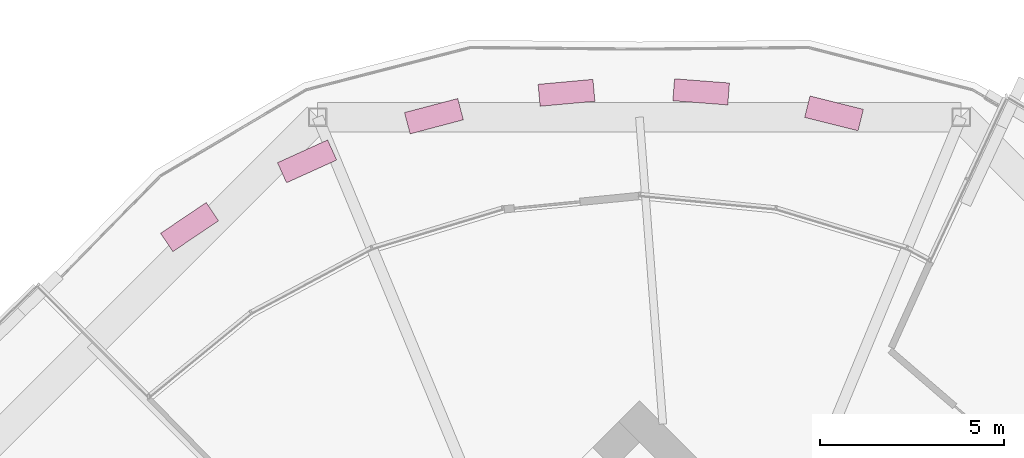
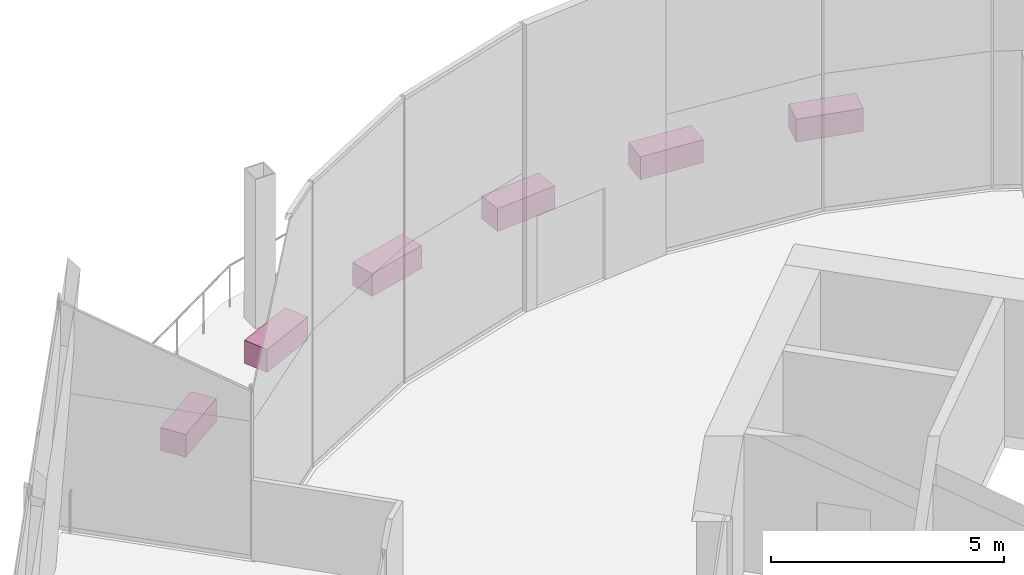
# One storey, part 31 of 31: 6 furniture elements.
"""IFC4 building model written with IfcOpenShell, lengths in metres."""

from ifc_helpers import new_model, si_unit, direction, frame, origin, origin_2d, place, context, subcontext, project, spatial, rectangle, extrude, material, type_object, element, save


model = new_model("IFC4")

# Units and contexts
model_context = context("Model", 3, precision=1e-05, world=origin(), true_north=direction((0.0, 1.0)))
body_context = subcontext(model_context, "Body", "Model", "MODEL_VIEW")
ifc_project = project(units=[si_unit("LENGTHUNIT", "METRE"), si_unit("AREAUNIT", "SQUARE_METRE"), si_unit("VOLUMEUNIT", "CUBIC_METRE"), si_unit("PLANEANGLEUNIT", "RADIAN"), si_unit("MASSUNIT", "GRAM", prefix="KILO")], contexts=[model_context])

# Site, building, storey
site_placement = place(None, origin())
site = spatial("IfcSite", under=ifc_project, at=site_placement, CompositionType="ELEMENT")
building_placement = place(site_placement, origin())
building = spatial("IfcBuilding", under=site, at=building_placement, Name="Ogive Gate Towers", CompositionType="ELEMENT")
storey_placement = place(building_placement, frame((0.0, 0.0, 63.60009765625)))
storey = spatial("IfcBuildingStorey", under=building, at=storey_placement, Name="L14", CompositionType="ELEMENT", Elevation=63.60009765625)

# Furniture
ifc_material = material(Name="Precast concrete C40/50", Category="concrete")
furniture_type = type_object("IfcFurnitureType", Name="Planter 1500 x 600", AssemblyPlace="NOTDEFINED", PredefinedType="USERDEFINED", material=ifc_material)
for number, where, z_axis, x_axis, name in (
    (1, (41.300537109375, 21.25927734375, -0.000244140625), (0.0, 0.0, 1.0), (-0.970295726276, 0.2419218956, 0.0), "Planter"),
    (2, (37.680908203125, 21.845458984375, -0.000244140625), (0.0, 0.0, 1.0), (-0.997052752227, 0.076719028127, 0.0), "Planter"),
    (3, (34.01416015625, 21.81982421875, -0.000244140625), (0.0, 0.0, 1.0), (-0.995884398616, -0.090632580198, 0.0), "Planter"),
    (4, (30.4033203125, 21.18310546875, -0.000244140625), (0.0, 0.0, 1.0), (-0.966823388604, -0.255445757936, 0.0), "Planter"),
    (5, (26.948974609375, 19.953125, -0.000244140625), (0.0, 0.0, 1.0), (-0.910683660806, -0.413104429825, 0.0), "Planter"),
    (6, (23.748046875, 18.164306640625, -0.000244140625), (0.0, 0.0, 1.0), (-0.829037572555, -0.559192903471, 0.0), "Planter"),
):
    element("IfcFurniture", number, at=place(storey_placement, frame(where, z_axis=z_axis, x_axis=x_axis)), inside=storey, type_object=furniture_type, Name=name, ObjectType="PLANTER", PredefinedType="USERDEFINED", context=body_context, shape_type="SweptSolid", body=[
        extrude(rectangle(XDim=1.5, YDim=0.60009765625, at=origin_2d()), origin(), (0.0, 0.0, 1.0), 0.60009765625),
    ])

save(model, "model.ifc")
